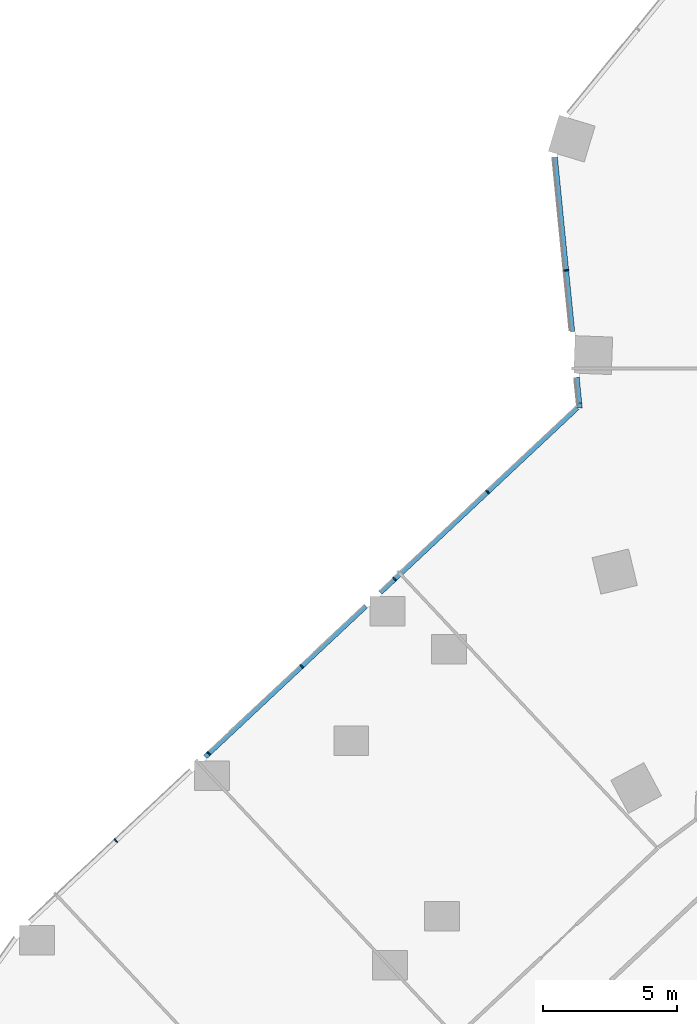
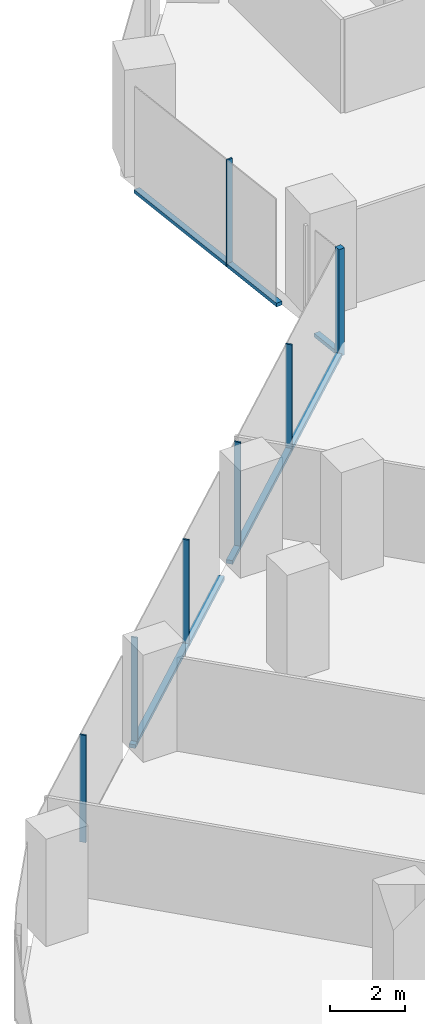
# One storey, part 6 of 34: 11 members, 2 elements without a shape of their own.
"""IFC4 building model written with IfcOpenShell, lengths in metres."""

from ifc_helpers import new_model, si_unit, direction, frame, origin, origin_2d, place, context, subcontext, project, spatial, rectangle, extrude, material, material_profile, profile_set, type_object, element, aggregate, save


model = new_model("IFC4")

# Units and contexts
model_context = context("Model", 3, precision=1e-05, world=origin(), true_north=direction((0.0, 1.0)))
body_context = subcontext(model_context, "Body", "Model", "MODEL_VIEW")
ifc_project = project(units=[si_unit("LENGTHUNIT", "METRE"), si_unit("AREAUNIT", "SQUARE_METRE"), si_unit("VOLUMEUNIT", "CUBIC_METRE"), si_unit("PLANEANGLEUNIT", "RADIAN"), si_unit("MASSUNIT", "GRAM", prefix="KILO")], contexts=[model_context])

# Site, building, storey
site_placement = place(None, origin())
site = spatial("IfcSite", under=ifc_project, at=site_placement, CompositionType="ELEMENT")
building_placement = place(site_placement, origin())
building = spatial("IfcBuilding", under=site, at=building_placement, Name="Orlundy Tower", CompositionType="ELEMENT")
storey_placement = place(building_placement, frame((0.0, 0.0, 40.800048828125)))
storey = spatial("IfcBuildingStorey", under=building, at=storey_placement, Name="L08", CompositionType="ELEMENT", Elevation=40.800048828125)

# Curtain wall, member
ifc_material_1 = material(Name="Aluminium bronze anodised", Category="aluminium")
curtain_wall_type = type_object("IfcCurtainWallType", Name="CW1 wall", PredefinedType="NOTDEFINED", material=ifc_material_1)
curtain_wall_1_placement = place(storey_placement, origin())
curtain_wall_1 = element("IfcCurtainWall", 1, at=curtain_wall_1_placement, inside=storey, type_object=curtain_wall_type, Name="CW1 run 01", PredefinedType="NOTDEFINED")
ifc_material_2 = material(Name="Aluminium bronze anodised", Category="aluminium")
ifc_material_profile_1 = material_profile(ifc_material_2, rectangle(XDim=0.179931640625, YDim=0.179931640625, at=origin_2d()), Name="CW1 corner post 180x180")
ifc_profile_set_1 = profile_set([ifc_material_profile_1], Name="Aluminium bronze anodised")
member_type_1 = type_object("IfcMemberType", Name="CW1 corner post 180x180", PredefinedType="MULLION", material=ifc_profile_set_1)
member_1_placement = place(storey_placement, frame((-30.163818359375, -0.747802734375, -0.420166015625), z_axis=(0.0, 0.0, 1.0), x_axis=(-0.995120028229, -0.098671826867, 0.0)))
member_1 = element("IfcMember", 2, at=member_1_placement, type_object=member_type_1, Name="CW1 mullion 7", PredefinedType="MULLION", context=body_context, shape_type="SweptSolid", body=[
    extrude(rectangle(XDim=0.179931640625, YDim=0.179931640625, at=origin_2d()), origin(), (0.0, 0.0, 1.0), 3.5),
])

# Curtain wall, members
curtain_wall_2_placement = place(storey_placement, origin())
curtain_wall_2 = element("IfcCurtainWall", 3, at=curtain_wall_2_placement, inside=storey, type_object=curtain_wall_type, Name="CW1 run 00", PredefinedType="NOTDEFINED")
ifc_material_3 = material(Name="Aluminium bronze anodised", Category="aluminium")
ifc_material_profile_2 = material_profile(ifc_material_3, rectangle(XDim=0.179931640625, YDim=0.050048828125, at=origin_2d()), Name="CW1 mullion 50x180")
ifc_profile_set_2 = profile_set([ifc_material_profile_2], Name="Aluminium bronze anodised")
member_type_2 = type_object("IfcMemberType", Name="CW1 mullion 50x180", PredefinedType="MULLION", material=ifc_profile_set_2)
member_2_placement = place(storey_placement, frame((-47.47314453125, -16.984130859375, -0.420166015625), z_axis=(0.0, 0.0, 1.0), x_axis=(-0.684139296752, 0.729351371178, 0.0)))
member_2 = element("IfcMember", 4, at=member_2_placement, type_object=member_type_2, Name="CW1 mullion 2", PredefinedType="MULLION", context=body_context, shape_type="SweptSolid", body=[
    extrude(rectangle(XDim=0.179931640625, YDim=0.050048828125, at=origin_2d()), origin(), (0.0, 0.0, 1.0), 3.5),
])
member_3_placement = place(storey_placement, frame((-44.0048828125, -13.730712890625, -0.420166015625), z_axis=(0.0, 0.0, 1.0), x_axis=(-0.684139296752, 0.729351371178, 0.0)))
member_3 = element("IfcMember", 5, at=member_3_placement, type_object=member_type_2, Name="CW1 mullion 3", PredefinedType="MULLION", context=body_context, shape_type="SweptSolid", body=[
    extrude(rectangle(XDim=0.179931640625, YDim=0.050048828125, at=origin_2d()), origin(), (0.0, 0.0, 1.0), 3.5),
])
member_4_placement = place(storey_placement, frame((-40.53662109375, -10.477294921875, -0.420166015625), z_axis=(0.0, 0.0, 1.0), x_axis=(-0.684139296752, 0.729351371178, 0.0)))
member_4 = element("IfcMember", 6, at=member_4_placement, type_object=member_type_2, Name="CW1 mullion 4", PredefinedType="MULLION", context=body_context, shape_type="SweptSolid", body=[
    extrude(rectangle(XDim=0.179931640625, YDim=0.050048828125, at=origin_2d()), origin(), (0.0, 0.0, 1.0), 3.5),
])
member_5_placement = place(storey_placement, frame((-37.068359375, -7.22412109375, -0.420166015625), z_axis=(0.0, 0.0, 1.0), x_axis=(-0.684139296752, 0.729351371178, 0.0)))
member_5 = element("IfcMember", 7, at=member_5_placement, type_object=member_type_2, Name="CW1 mullion 5", PredefinedType="MULLION", context=body_context, shape_type="SweptSolid", body=[
    extrude(rectangle(XDim=0.179931640625, YDim=0.050048828125, at=origin_2d()), origin(), (0.0, 0.0, 1.0), 3.5),
])
member_6_placement = place(storey_placement, frame((-33.599853515625, -3.970703125, -0.420166015625), z_axis=(0.0, 0.0, 1.0), x_axis=(-0.684139296752, 0.729351371178, 0.0)))
member_6 = element("IfcMember", 8, at=member_6_placement, type_object=member_type_2, Name="CW1 mullion 6", PredefinedType="MULLION", context=body_context, shape_type="SweptSolid", body=[
    extrude(rectangle(XDim=0.179931640625, YDim=0.050048828125, at=origin_2d()), origin(), (0.0, 0.0, 1.0), 3.5),
])

# Member
member_7_placement = place(storey_placement, frame((-30.66455078125, 4.301025390625, -0.420166015625), z_axis=(0.0, 0.0, 1.0), x_axis=(-0.995120028229, -0.098671826867, 0.0)))
member_7 = element("IfcMember", 9, at=member_7_placement, type_object=member_type_2, Name="CW1 mullion 8", PredefinedType="MULLION", context=body_context, shape_type="SweptSolid", body=[
    extrude(rectangle(XDim=0.179931640625, YDim=0.050048828125, at=origin_2d()), origin(), (0.0, 0.0, 1.0), 3.5),
])

ifc_material_4 = material(Name="Aluminium bronze anodised", Category="aluminium")
ifc_material_profile_3 = material_profile(ifc_material_4, rectangle(XDim=0.179931640625, YDim=0.1201171875, at=origin_2d()), Name="CW1 transom 180x120")
ifc_profile_set_3 = profile_set([ifc_material_profile_3], Name="Aluminium bronze anodised")
member_type_3 = type_object("IfcMemberType", Name="CW1 transom 180x120", PredefinedType="USERDEFINED", material=ifc_profile_set_3)
member_8_placement = place(storey_placement, frame((-44.143798828125, -13.861083984375, -0.360107421875), z_axis=(0.72933458514, 0.684157191673, 0.0), x_axis=(-0.684157191673, 0.72933458514, 0.0)))
member_8 = element("IfcMember", 10, at=member_8_placement, type_object=member_type_3, Name="CW1 transom", ObjectType="TRANSOM", PredefinedType="USERDEFINED", context=body_context, shape_type="SweptSolid", body=[
    extrude(rectangle(XDim=0.179931640625, YDim=0.1201171875, at=origin_2d()), origin(), (0.0, 0.0, 1.0), 8.23046875),
])

member_9_placement = place(storey_placement, frame((-37.603271484375, -7.72607421875, -0.360107421875), z_axis=(0.729352247535, 0.684138362479, 0.0), x_axis=(-0.684138362479, 0.729352247535, 0.0)))
member_9 = element("IfcMember", 11, at=member_9_placement, type_object=member_type_3, Name="CW1 transom", ObjectType="TRANSOM", PredefinedType="USERDEFINED", context=body_context, shape_type="SweptSolid", body=[
    extrude(rectangle(XDim=0.179931640625, YDim=0.1201171875, at=origin_2d()), origin(), (0.0, 0.0, 1.0), 10.086669921875),
])

aggregate(curtain_wall_2, [member_2, member_3, member_4, member_5, member_6, member_8, member_9])

member_10_placement = place(storey_placement, frame((-30.1728515625, -0.658203125, -0.360107421875), z_axis=(-0.098732593385, 0.995114001009, 0.0), x_axis=(-0.995114001009, -0.098732593385, 0.0)))
member_10 = element("IfcMember", 12, at=member_10_placement, type_object=member_type_3, Name="CW1 transom", ObjectType="TRANSOM", PredefinedType="USERDEFINED", context=body_context, shape_type="SweptSolid", body=[
    extrude(rectangle(XDim=0.179931640625, YDim=0.1201171875, at=origin_2d()), origin(), (0.0, 0.0, 1.0), 0.9716796875),
])

member_11_placement = place(storey_placement, frame((-30.43798828125, 2.0166015625, -0.360107421875), z_axis=(-0.09868941659, 0.995118283951, 0.0), x_axis=(-0.995118283951, -0.09868941659, 0.0)))
member_11 = element("IfcMember", 13, at=member_11_placement, type_object=member_type_3, Name="CW1 transom", ObjectType="TRANSOM", PredefinedType="USERDEFINED", context=body_context, shape_type="SweptSolid", body=[
    extrude(rectangle(XDim=0.179931640625, YDim=0.1201171875, at=origin_2d()), origin(), (0.0, 0.0, 1.0), 6.531005859375),
])

aggregate(curtain_wall_1, [member_1, member_7, member_10, member_11])

save(model, "model.ifc")
